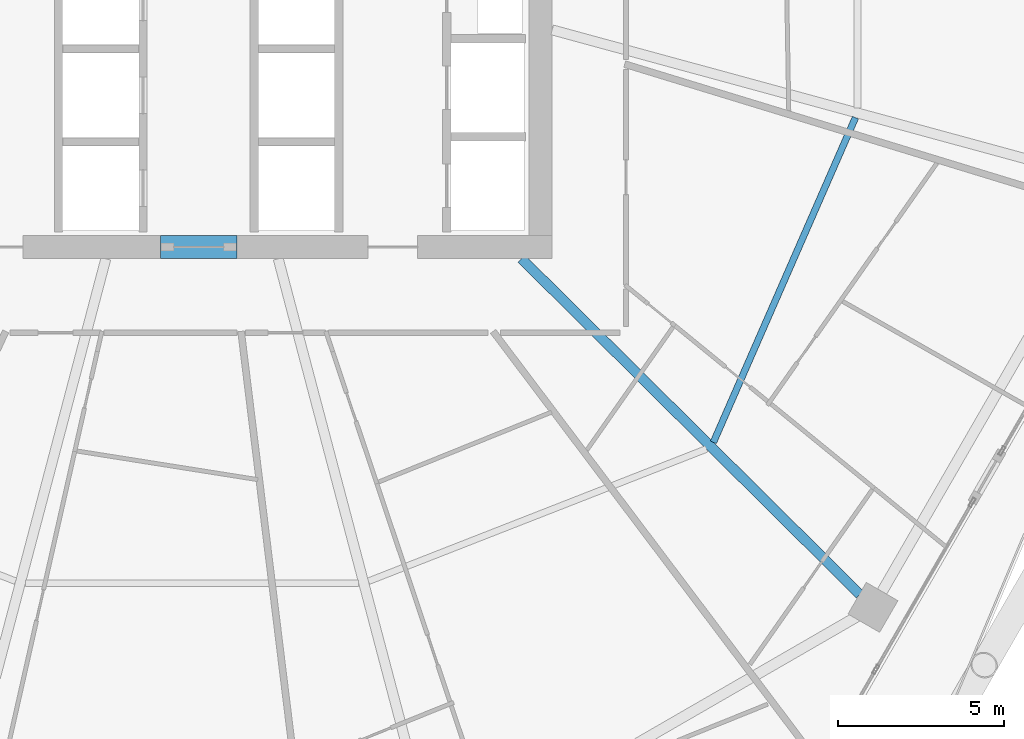
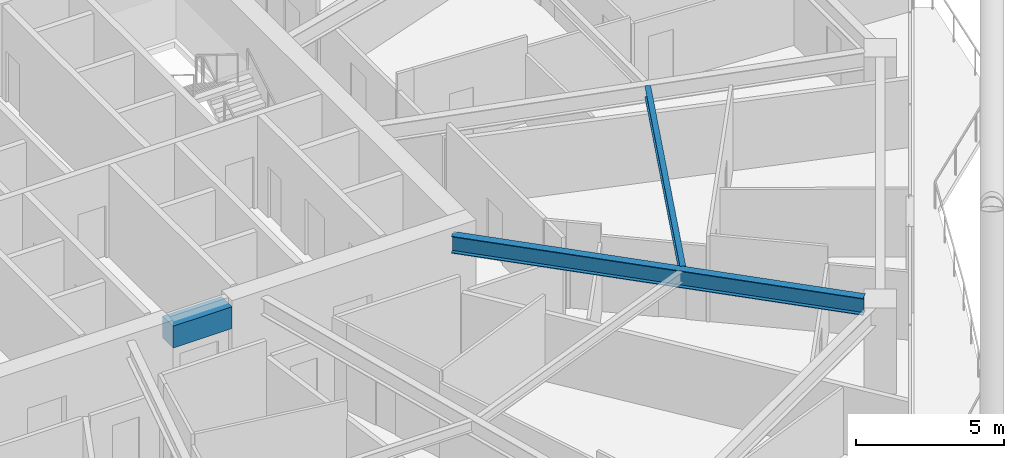
# One storey, part 11 of 36: 3 beams.
"""IFC4 building model written with IfcOpenShell, lengths in metres."""

from ifc_helpers import new_model, si_unit, direction, frame, origin, origin_2d, place, context, subcontext, project, spatial, rectangle, i_section, extrude, material, material_profile, profile_set, type_object, element, save


model = new_model("IFC4")

# Units and contexts
model_context = context("Model", 3, precision=1e-05, world=origin(), true_north=direction((0.0, 1.0)))
body_context = subcontext(model_context, "Body", "Model", "MODEL_VIEW")
ifc_project = project(units=[si_unit("LENGTHUNIT", "METRE"), si_unit("AREAUNIT", "SQUARE_METRE"), si_unit("VOLUMEUNIT", "CUBIC_METRE"), si_unit("PLANEANGLEUNIT", "RADIAN"), si_unit("MASSUNIT", "GRAM", prefix="KILO")], contexts=[model_context])

# Site, building, storey
site_placement = place(None, origin())
site = spatial("IfcSite", under=ifc_project, at=site_placement, CompositionType="ELEMENT")
building_placement = place(site_placement, origin())
building = spatial("IfcBuilding", under=site, at=building_placement, Name="Zuhravey Tower", CompositionType="ELEMENT")
storey_placement = place(building_placement, frame((0.0, 0.0, 107.60009765625)))
storey = spatial("IfcBuildingStorey", under=building, at=storey_placement, Name="L26", CompositionType="ELEMENT", Elevation=107.60009765625)

# Beams
ifc_material_1 = material(Name="Concrete C60/75", Category="concrete")
ifc_material_profile_1 = material_profile(ifc_material_1, rectangle(XDim=0.699951171875, YDim=0.89990234375, at=origin_2d()), Name="RC-700x900")
ifc_profile_set_1 = profile_set([ifc_material_profile_1], Name="Concrete C60/75")
beam_type_1 = type_object("IfcBeamType", Name="Core Coupling Beam RC700x900", PredefinedType="LINTEL", material=ifc_profile_set_1)
beam_1_placement = place(storey_placement, frame((35.052001953125, 22.5, 3.099853515625), z_axis=(1.0, 0.0, 0.0), x_axis=(0.0, 1.0, 0.0)))
element("IfcBeam", 1, at=beam_1_placement, inside=storey, type_object=beam_type_1, Name="L26 CB1 BM-L26-CB-S", PredefinedType="LINTEL", context=body_context, shape_type="SweptSolid", body=[
    extrude(rectangle(XDim=0.699951171875, YDim=0.89990234375, at=origin_2d()), origin(), (0.0, 0.0, 1.0), 2.2958984375),
])
ifc_material_2 = material(Name="Steel SM355", Category="steel")
ifc_material_profile_2 = material_profile(ifc_material_2, i_section(OverallWidth=0.300048828125, OverallDepth=0.699951171875, WebThickness=0.012939453125, FlangeThickness=0.02392578125, at=origin_2d()), Name="H-700x300x13x24")
ifc_profile_set_2 = profile_set([ifc_material_profile_2], Name="Steel SM355")
beam_type_2 = type_object("IfcBeamType", Name="Radial Primary Girder H700x300", PredefinedType="BEAM", material=ifc_profile_set_2)
beam_2_placement = place(storey_placement, frame((45.931396484375, 22.14697265625, 3.199951171875), z_axis=(0.709906230344, -0.704296204816, 0.0), x_axis=(0.704296204816, 0.709906230344, 0.0)))
element("IfcBeam", 2, at=beam_2_placement, inside=storey, type_object=beam_type_2, Name="L26 RG1 BM-L26-RAD-11", PredefinedType="BEAM", context=body_context, shape_type="SweptSolid", body=[
    extrude(i_section(OverallWidth=0.300048828125, OverallDepth=0.699951171875, WebThickness=0.012939453125, FlangeThickness=0.02392578125, at=origin_2d()), origin(), (0.0, 0.0, 1.0), 14.361083984375),
])
ifc_material_profile_3 = material_profile(ifc_material_2, i_section(OverallWidth=0.199951171875, OverallDepth=0.449951171875, WebThickness=0.009033203125, FlangeThickness=0.013916015625, at=origin_2d()), Name="H-450x200x9x14")
ifc_profile_set_3 = profile_set([ifc_material_profile_3], Name="Steel SM355")
beam_type_3 = type_object("IfcBeamType", Name="Secondary Floor Joist H450x200", PredefinedType="JOIST", material=ifc_profile_set_3)
beam_3_placement = place(storey_placement, frame((51.71044921875, 16.615966796875, 3.324951171875), z_axis=(0.400786454617, 0.916171500209, 0.0), x_axis=(-0.916171500209, 0.400786454617, 0.0)))
element("IfcBeam", 3, at=beam_3_placement, inside=storey, type_object=beam_type_3, Name="L26 SJ1 BM-L26-SJ-11-1", PredefinedType="JOIST", context=body_context, shape_type="SweptSolid", body=[
    extrude(i_section(OverallWidth=0.199951171875, OverallDepth=0.449951171875, WebThickness=0.009033203125, FlangeThickness=0.013916015625, at=origin_2d()), origin(), (0.0, 0.0, 1.0), 10.6796875),
])

save(model, "model.ifc")
